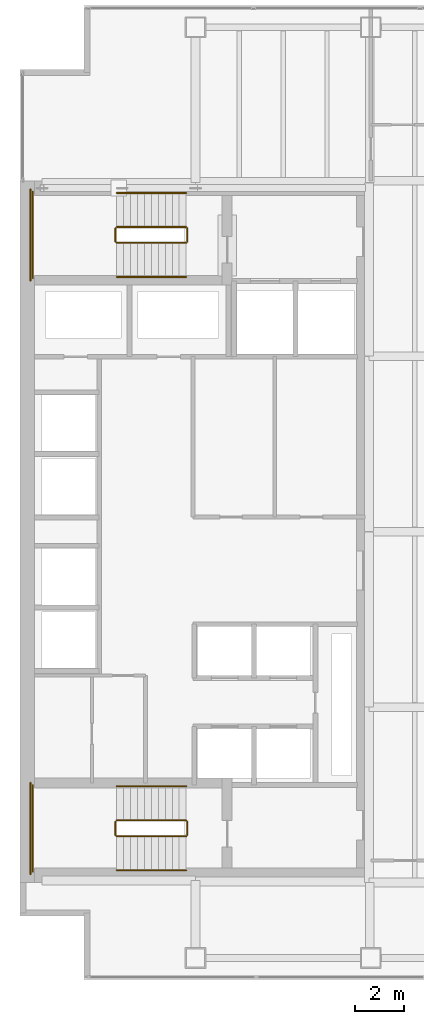
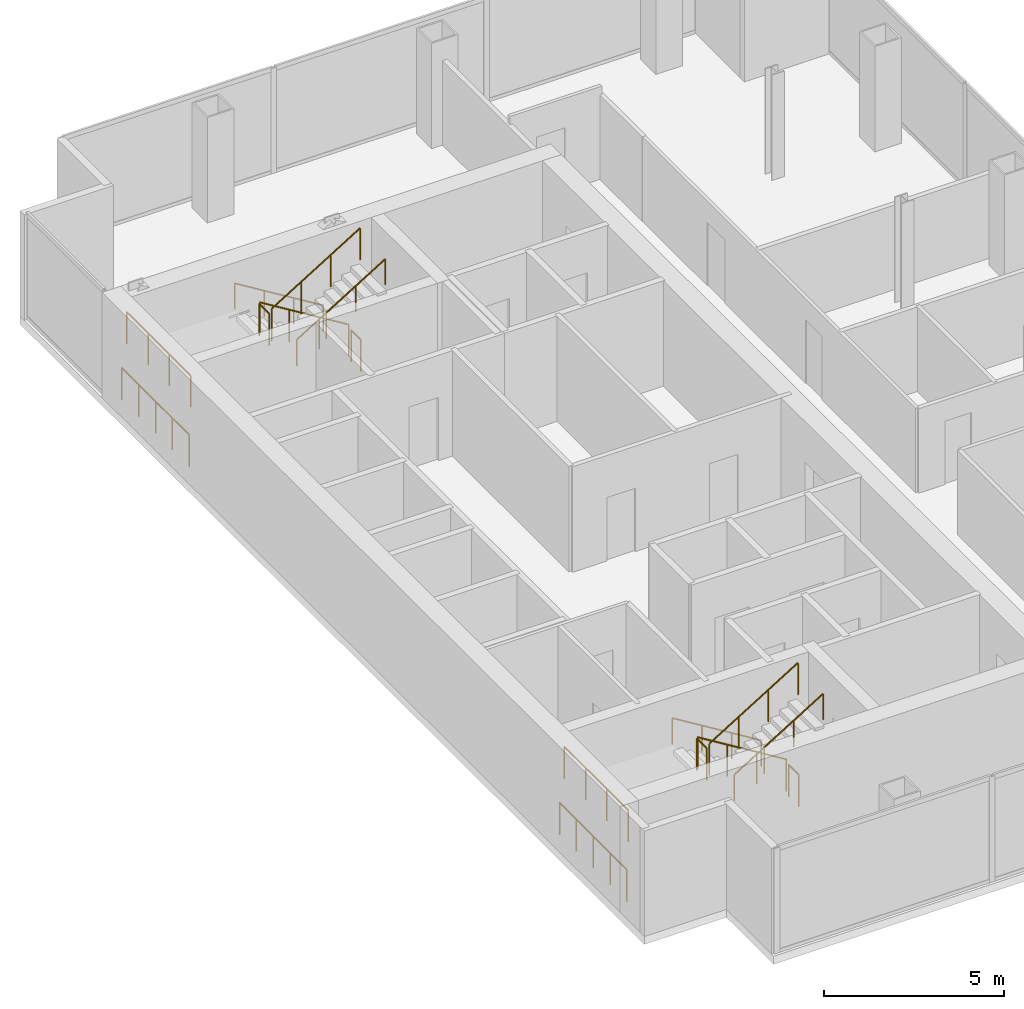
# One storey, part 23 of 23: 16 railings.
"""IFC4 building model written with IfcOpenShell, lengths in metres."""

from ifc_helpers import new_model, si_unit, direction, frame, origin, origin_2d, place, context, subcontext, project, spatial, circle, extrude, material, type_object, element, save


model = new_model("IFC4")

# Units and contexts
model_context = context("Model", 3, precision=1e-05, world=origin(), true_north=direction((0.0, 1.0)))
body_context = subcontext(model_context, "Body", "Model", "MODEL_VIEW")
ifc_project = project(units=[si_unit("LENGTHUNIT", "METRE"), si_unit("AREAUNIT", "SQUARE_METRE"), si_unit("VOLUMEUNIT", "CUBIC_METRE"), si_unit("PLANEANGLEUNIT", "RADIAN"), si_unit("MASSUNIT", "GRAM", prefix="KILO")], contexts=[model_context])

# Site, building, storey
site_placement = place(None, origin())
site = spatial("IfcSite", under=ifc_project, at=site_placement, CompositionType="ELEMENT")
building_placement = place(site_placement, origin())
building = spatial("IfcBuilding", under=site, at=building_placement, Name="Cobrela Telecom Tower", CompositionType="ELEMENT")
storey_placement = place(building_placement, frame((0.0, 0.0, 156.10009765625)))
storey = spatial("IfcBuildingStorey", under=building, at=storey_placement, Name="L39", CompositionType="ELEMENT", Elevation=156.10009765625)

# Railings
ifc_material = material(Name="Steel ASTM A36", Category="steel")
railing_type_1 = type_object("IfcRailingType", Name="RAIL-GUARD-1100", PredefinedType="GUARDRAIL", material=ifc_material)
railing_1_placement = place(storey_placement, frame((6.820068359375, 34.10009765625, 0.1748046875)))
element("IfcRailing", 1, at=railing_1_placement, inside=storey, type_object=railing_type_1, Name="L39 ST1 stair guard 1", PredefinedType="GUARDRAIL", context=body_context, shape_type="SweptSolid", body=[
    extrude(circle(Radius=0.02392578125, at=origin_2d()), frame((0.0, 0.0, 1.076171875), z_axis=(-0.852179220489, 0.0, 0.52325001306), x_axis=(0.0, -1.0, 0.0)), (0.0, 0.0, 1.0), 3.344482421875),
    extrude(circle(Radius=0.02099609375, at=origin_2d()), origin(), (0.0, 0.0, 1.0), 1.052001953125),
    extrude(circle(Radius=0.02099609375, at=origin_2d()), frame((-0.949951171875, 0.0, 0.583251953125)), (0.0, 0.0, 1.0), 1.052001953125),
    extrude(circle(Radius=0.02099609375, at=origin_2d()), frame((-1.900146484375, 0.0, 1.166748046875)), (0.0, 0.0, 1.0), 1.052001953125),
    extrude(circle(Radius=0.02099609375, at=origin_2d()), frame((-2.85009765625, 0.0, 1.75)), (0.0, 0.0, 1.0), 1.052001953125),
])
railing_2_placement = place(storey_placement, frame((3.919921875, 34.050048828125, 1.9248046875)))
element("IfcRailing", 2, at=railing_2_placement, inside=storey, type_object=railing_type_1, Name="L39 ST1 stair guard 2", PredefinedType="GUARDRAIL", context=body_context, shape_type="SweptSolid", body=[
    extrude(circle(Radius=0.02392578125, at=origin_2d()), frame((0.0, 0.0, 1.076171875), z_axis=(0.0, -1.0, 0.0), x_axis=(1.0, 0.0, 0.0)), (0.0, 0.0, 1.0), 0.550048828125),
    extrude(circle(Radius=0.02099609375, at=origin_2d()), origin(), (0.0, 0.0, 1.0), 1.052001953125),
    extrude(circle(Radius=0.02099609375, at=origin_2d()), frame((0.0, -0.550048828125, 0.0)), (0.0, 0.0, 1.0), 1.052001953125),
])
railing_3_placement = place(storey_placement, frame((0.530029296875, 35.550048828125, 1.9248046875)))
element("IfcRailing", 3, at=railing_3_placement, inside=storey, type_object=railing_type_1, Name="L39 ST1 stair guard 3", PredefinedType="GUARDRAIL", context=body_context, shape_type="SweptSolid", body=[
    extrude(circle(Radius=0.02392578125, at=origin_2d()), frame((0.0, 0.0, 1.076171875), z_axis=(0.0, -1.0, 0.0), x_axis=(1.0, 0.0, 0.0)), (0.0, 0.0, 1.0), 3.550048828125),
    extrude(circle(Radius=0.02099609375, at=origin_2d()), origin(), (0.0, 0.0, 1.0), 1.052001953125),
    extrude(circle(Radius=0.02099609375, at=origin_2d()), frame((0.0, -1.183349609375, 0.0)), (0.0, 0.0, 1.0), 1.052001953125),
    extrude(circle(Radius=0.02099609375, at=origin_2d()), frame((0.0, -2.36669921875, 0.0)), (0.0, 0.0, 1.0), 1.052001953125),
    extrude(circle(Radius=0.02099609375, at=origin_2d()), frame((0.0, -3.550048828125, 0.0)), (0.0, 0.0, 1.0), 1.052001953125),
])
railing_4_placement = place(storey_placement, frame((3.969970703125, 33.449951171875, 2.099853515625)))
element("IfcRailing", 4, at=railing_4_placement, inside=storey, type_object=railing_type_1, Name="L39 ST1 stair guard 4", PredefinedType="GUARDRAIL", context=body_context, shape_type="SweptSolid", body=[
    extrude(circle(Radius=0.02392578125, at=origin_2d()), frame((0.0, 0.0, 1.076171875), z_axis=(0.852179220489, 0.0, 0.52325001306), x_axis=(0.0, 1.0, 0.0)), (0.0, 0.0, 1.0), 3.344482421875),
    extrude(circle(Radius=0.02099609375, at=origin_2d()), origin(), (0.0, 0.0, 1.0), 1.052001953125),
    extrude(circle(Radius=0.02099609375, at=origin_2d()), frame((0.949951171875, 0.0, 0.583251953125)), (0.0, 0.0, 1.0), 1.052001953125),
    extrude(circle(Radius=0.02099609375, at=origin_2d()), frame((1.900146484375, 0.0, 1.166748046875)), (0.0, 0.0, 1.0), 1.052001953125),
    extrude(circle(Radius=0.02099609375, at=origin_2d()), frame((2.85009765625, 0.0, 1.75)), (0.0, 0.0, 1.0), 1.052001953125),
])
railing_5_placement = place(storey_placement, frame((6.8701171875, 34.050048828125, 0.0)))
element("IfcRailing", 5, at=railing_5_placement, inside=storey, type_object=railing_type_1, Name="L39 ST1 stair guard 5", PredefinedType="GUARDRAIL", context=body_context, shape_type="SweptSolid", body=[
    extrude(circle(Radius=0.02392578125, at=origin_2d()), frame((0.0, 0.0, 1.076171875), z_axis=(0.0, -1.0, 0.0), x_axis=(1.0, 0.0, 0.0)), (0.0, 0.0, 1.0), 0.550048828125),
    extrude(circle(Radius=0.02099609375, at=origin_2d()), origin(), (0.0, 0.0, 1.0), 1.052001953125),
    extrude(circle(Radius=0.02099609375, at=origin_2d()), frame((0.0, -0.550048828125, 0.0)), (0.0, 0.0, 1.0), 1.052001953125),
])
railing_6_placement = place(storey_placement, frame((0.429931640625, 35.64990234375, 0.0)))
element("IfcRailing", 6, at=railing_6_placement, inside=storey, type_object=railing_type_1, Name="L39 ST1 stair guard 6", PredefinedType="GUARDRAIL", context=body_context, shape_type="SweptSolid", body=[
    extrude(circle(Radius=0.02392578125, at=origin_2d()), frame((0.0, 0.0, 1.076171875), z_axis=(0.0, -1.0, 0.0), x_axis=(1.0, 0.0, 0.0)), (0.0, 0.0, 1.0), 3.75),
    extrude(circle(Radius=0.02099609375, at=origin_2d()), origin(), (0.0, 0.0, 1.0), 1.052001953125),
    extrude(circle(Radius=0.02099609375, at=origin_2d()), frame((0.0, -0.9375, 0.0)), (0.0, 0.0, 1.0), 1.052001953125),
    extrude(circle(Radius=0.02099609375, at=origin_2d()), frame((0.0, -1.875, 0.0)), (0.0, 0.0, 1.0), 1.052001953125),
    extrude(circle(Radius=0.02099609375, at=origin_2d()), frame((0.0, -2.8125, 0.0)), (0.0, 0.0, 1.0), 1.052001953125),
    extrude(circle(Radius=0.02099609375, at=origin_2d()), frame((0.0, -3.75, 0.0)), (0.0, 0.0, 1.0), 1.052001953125),
])
railing_7_placement = place(storey_placement, frame((6.820068359375, 9.75, 0.1748046875)))
element("IfcRailing", 7, at=railing_7_placement, inside=storey, type_object=railing_type_1, Name="L39 ST2 stair guard 1", PredefinedType="GUARDRAIL", context=body_context, shape_type="SweptSolid", body=[
    extrude(circle(Radius=0.02392578125, at=origin_2d()), frame((0.0, 0.0, 1.076171875), z_axis=(-0.852179220489, 0.0, 0.52325001306), x_axis=(0.0, -1.0, 0.0)), (0.0, 0.0, 1.0), 3.344482421875),
    extrude(circle(Radius=0.02099609375, at=origin_2d()), origin(), (0.0, 0.0, 1.0), 1.052001953125),
    extrude(circle(Radius=0.02099609375, at=origin_2d()), frame((-0.949951171875, 0.0, 0.583251953125)), (0.0, 0.0, 1.0), 1.052001953125),
    extrude(circle(Radius=0.02099609375, at=origin_2d()), frame((-1.900146484375, 0.0, 1.166748046875)), (0.0, 0.0, 1.0), 1.052001953125),
    extrude(circle(Radius=0.02099609375, at=origin_2d()), frame((-2.85009765625, 0.0, 1.75)), (0.0, 0.0, 1.0), 1.052001953125),
])
railing_8_placement = place(storey_placement, frame((3.919921875, 9.699951171875, 1.9248046875)))
element("IfcRailing", 8, at=railing_8_placement, inside=storey, type_object=railing_type_1, Name="L39 ST2 stair guard 2", PredefinedType="GUARDRAIL", context=body_context, shape_type="SweptSolid", body=[
    extrude(circle(Radius=0.02392578125, at=origin_2d()), frame((0.0, 0.0, 1.076171875), z_axis=(0.0, -1.0, 0.0), x_axis=(1.0, 0.0, 0.0)), (0.0, 0.0, 1.0), 0.550048828125),
    extrude(circle(Radius=0.02099609375, at=origin_2d()), origin(), (0.0, 0.0, 1.0), 1.052001953125),
    extrude(circle(Radius=0.02099609375, at=origin_2d()), frame((0.0, -0.550048828125, 0.0)), (0.0, 0.0, 1.0), 1.052001953125),
])
railing_9_placement = place(storey_placement, frame((0.530029296875, 11.199951171875, 1.9248046875)))
element("IfcRailing", 9, at=railing_9_placement, inside=storey, type_object=railing_type_1, Name="L39 ST2 stair guard 3", PredefinedType="GUARDRAIL", context=body_context, shape_type="SweptSolid", body=[
    extrude(circle(Radius=0.02392578125, at=origin_2d()), frame((0.0, 0.0, 1.076171875), z_axis=(0.0, -1.0, 0.0), x_axis=(1.0, 0.0, 0.0)), (0.0, 0.0, 1.0), 3.550048828125),
    extrude(circle(Radius=0.02099609375, at=origin_2d()), origin(), (0.0, 0.0, 1.0), 1.052001953125),
    extrude(circle(Radius=0.02099609375, at=origin_2d()), frame((0.0, -1.183349609375, 0.0)), (0.0, 0.0, 1.0), 1.052001953125),
    extrude(circle(Radius=0.02099609375, at=origin_2d()), frame((0.0, -2.36669921875, 0.0)), (0.0, 0.0, 1.0), 1.052001953125),
    extrude(circle(Radius=0.02099609375, at=origin_2d()), frame((0.0, -3.550048828125, 0.0)), (0.0, 0.0, 1.0), 1.052001953125),
])
railing_10_placement = place(storey_placement, frame((3.969970703125, 9.10009765625, 2.099853515625)))
element("IfcRailing", 10, at=railing_10_placement, inside=storey, type_object=railing_type_1, Name="L39 ST2 stair guard 4", PredefinedType="GUARDRAIL", context=body_context, shape_type="SweptSolid", body=[
    extrude(circle(Radius=0.02392578125, at=origin_2d()), frame((0.0, 0.0, 1.076171875), z_axis=(0.852179220489, 0.0, 0.52325001306), x_axis=(0.0, 1.0, 0.0)), (0.0, 0.0, 1.0), 3.344482421875),
    extrude(circle(Radius=0.02099609375, at=origin_2d()), origin(), (0.0, 0.0, 1.0), 1.052001953125),
    extrude(circle(Radius=0.02099609375, at=origin_2d()), frame((0.949951171875, 0.0, 0.583251953125)), (0.0, 0.0, 1.0), 1.052001953125),
    extrude(circle(Radius=0.02099609375, at=origin_2d()), frame((1.900146484375, 0.0, 1.166748046875)), (0.0, 0.0, 1.0), 1.052001953125),
    extrude(circle(Radius=0.02099609375, at=origin_2d()), frame((2.85009765625, 0.0, 1.75)), (0.0, 0.0, 1.0), 1.052001953125),
])
railing_11_placement = place(storey_placement, frame((6.8701171875, 9.699951171875, 0.0)))
element("IfcRailing", 11, at=railing_11_placement, inside=storey, type_object=railing_type_1, Name="L39 ST2 stair guard 5", PredefinedType="GUARDRAIL", context=body_context, shape_type="SweptSolid", body=[
    extrude(circle(Radius=0.02392578125, at=origin_2d()), frame((0.0, 0.0, 1.076171875), z_axis=(0.0, -1.0, 0.0), x_axis=(1.0, 0.0, 0.0)), (0.0, 0.0, 1.0), 0.550048828125),
    extrude(circle(Radius=0.02099609375, at=origin_2d()), origin(), (0.0, 0.0, 1.0), 1.052001953125),
    extrude(circle(Radius=0.02099609375, at=origin_2d()), frame((0.0, -0.550048828125, 0.0)), (0.0, 0.0, 1.0), 1.052001953125),
])
railing_12_placement = place(storey_placement, frame((0.429931640625, 11.300048828125, 0.0)))
element("IfcRailing", 12, at=railing_12_placement, inside=storey, type_object=railing_type_1, Name="L39 ST2 stair guard 6", PredefinedType="GUARDRAIL", context=body_context, shape_type="SweptSolid", body=[
    extrude(circle(Radius=0.02392578125, at=origin_2d()), frame((0.0, 0.0, 1.076171875), z_axis=(0.0, -1.0, 0.0), x_axis=(1.0, 0.0, 0.0)), (0.0, 0.0, 1.0), 3.75),
    extrude(circle(Radius=0.02099609375, at=origin_2d()), origin(), (0.0, 0.0, 1.0), 1.052001953125),
    extrude(circle(Radius=0.02099609375, at=origin_2d()), frame((0.0, -0.9375, 0.0)), (0.0, 0.0, 1.0), 1.052001953125),
    extrude(circle(Radius=0.02099609375, at=origin_2d()), frame((0.0, -1.875, 0.0)), (0.0, 0.0, 1.0), 1.052001953125),
    extrude(circle(Radius=0.02099609375, at=origin_2d()), frame((0.0, -2.8125, 0.0)), (0.0, 0.0, 1.0), 1.052001953125),
    extrude(circle(Radius=0.02099609375, at=origin_2d()), frame((0.0, -3.75, 0.0)), (0.0, 0.0, 1.0), 1.052001953125),
])
railing_type_2 = type_object("IfcRailingType", Name="RAIL-HAND-920", PredefinedType="HANDRAIL", material=ifc_material)
railing_13_placement = place(storey_placement, frame((6.820068359375, 35.5, 0.1748046875)))
element("IfcRailing", 13, at=railing_13_placement, inside=storey, type_object=railing_type_2, Name="L39 ST1 stair handrail 1", PredefinedType="HANDRAIL", context=body_context, shape_type="SweptSolid", body=[
    extrude(circle(Radius=0.02392578125, at=origin_2d()), frame((0.0, 0.0, 0.8759765625), z_axis=(-0.852179220489, 0.0, 0.52325001306), x_axis=(0.0, -1.0, 0.0)), (0.0, 0.0, 1.0), 3.344482421875),
    extrude(circle(Radius=0.02099609375, at=origin_2d()), origin(), (0.0, 0.0, 1.0), 0.851806640625),
    extrude(circle(Radius=0.02099609375, at=origin_2d()), frame((-0.949951171875, 0.0, 0.583251953125)), (0.0, 0.0, 1.0), 0.851806640625),
    extrude(circle(Radius=0.02099609375, at=origin_2d()), frame((-1.900146484375, 0.0, 1.166748046875)), (0.0, 0.0, 1.0), 0.851806640625),
    extrude(circle(Radius=0.02099609375, at=origin_2d()), frame((-2.85009765625, 0.0, 1.75)), (0.0, 0.0, 1.0), 0.851806640625),
])
railing_14_placement = place(storey_placement, frame((3.969970703125, 32.050048828125, 2.099853515625)))
element("IfcRailing", 14, at=railing_14_placement, inside=storey, type_object=railing_type_2, Name="L39 ST1 stair handrail 2", PredefinedType="HANDRAIL", context=body_context, shape_type="SweptSolid", body=[
    extrude(circle(Radius=0.02392578125, at=origin_2d()), frame((0.0, 0.0, 0.8759765625), z_axis=(0.852179220489, 0.0, 0.52325001306), x_axis=(0.0, 1.0, 0.0)), (0.0, 0.0, 1.0), 3.344482421875),
    extrude(circle(Radius=0.02099609375, at=origin_2d()), origin(), (0.0, 0.0, 1.0), 0.851806640625),
    extrude(circle(Radius=0.02099609375, at=origin_2d()), frame((0.949951171875, 0.0, 0.583251953125)), (0.0, 0.0, 1.0), 0.851806640625),
    extrude(circle(Radius=0.02099609375, at=origin_2d()), frame((1.900146484375, 0.0, 1.166748046875)), (0.0, 0.0, 1.0), 0.851806640625),
    extrude(circle(Radius=0.02099609375, at=origin_2d()), frame((2.85009765625, 0.0, 1.75)), (0.0, 0.0, 1.0), 0.851806640625),
])
railing_15_placement = place(storey_placement, frame((6.820068359375, 11.14990234375, 0.1748046875)))
element("IfcRailing", 15, at=railing_15_placement, inside=storey, type_object=railing_type_2, Name="L39 ST2 stair handrail 1", PredefinedType="HANDRAIL", context=body_context, shape_type="SweptSolid", body=[
    extrude(circle(Radius=0.02392578125, at=origin_2d()), frame((0.0, 0.0, 0.8759765625), z_axis=(-0.852179220489, 0.0, 0.52325001306), x_axis=(0.0, -1.0, 0.0)), (0.0, 0.0, 1.0), 3.344482421875),
    extrude(circle(Radius=0.02099609375, at=origin_2d()), origin(), (0.0, 0.0, 1.0), 0.851806640625),
    extrude(circle(Radius=0.02099609375, at=origin_2d()), frame((-0.949951171875, 0.0, 0.583251953125)), (0.0, 0.0, 1.0), 0.851806640625),
    extrude(circle(Radius=0.02099609375, at=origin_2d()), frame((-1.900146484375, 0.0, 1.166748046875)), (0.0, 0.0, 1.0), 0.851806640625),
    extrude(circle(Radius=0.02099609375, at=origin_2d()), frame((-2.85009765625, 0.0, 1.75)), (0.0, 0.0, 1.0), 0.851806640625),
])
railing_16_placement = place(storey_placement, frame((3.969970703125, 7.699951171875, 2.099853515625)))
element("IfcRailing", 16, at=railing_16_placement, inside=storey, type_object=railing_type_2, Name="L39 ST2 stair handrail 2", PredefinedType="HANDRAIL", context=body_context, shape_type="SweptSolid", body=[
    extrude(circle(Radius=0.02392578125, at=origin_2d()), frame((0.0, 0.0, 0.8759765625), z_axis=(0.852179220489, 0.0, 0.52325001306), x_axis=(0.0, 1.0, 0.0)), (0.0, 0.0, 1.0), 3.344482421875),
    extrude(circle(Radius=0.02099609375, at=origin_2d()), origin(), (0.0, 0.0, 1.0), 0.851806640625),
    extrude(circle(Radius=0.02099609375, at=origin_2d()), frame((0.949951171875, 0.0, 0.583251953125)), (0.0, 0.0, 1.0), 0.851806640625),
    extrude(circle(Radius=0.02099609375, at=origin_2d()), frame((1.900146484375, 0.0, 1.166748046875)), (0.0, 0.0, 1.0), 0.851806640625),
    extrude(circle(Radius=0.02099609375, at=origin_2d()), frame((2.85009765625, 0.0, 1.75)), (0.0, 0.0, 1.0), 0.851806640625),
])

save(model, "model.ifc")
